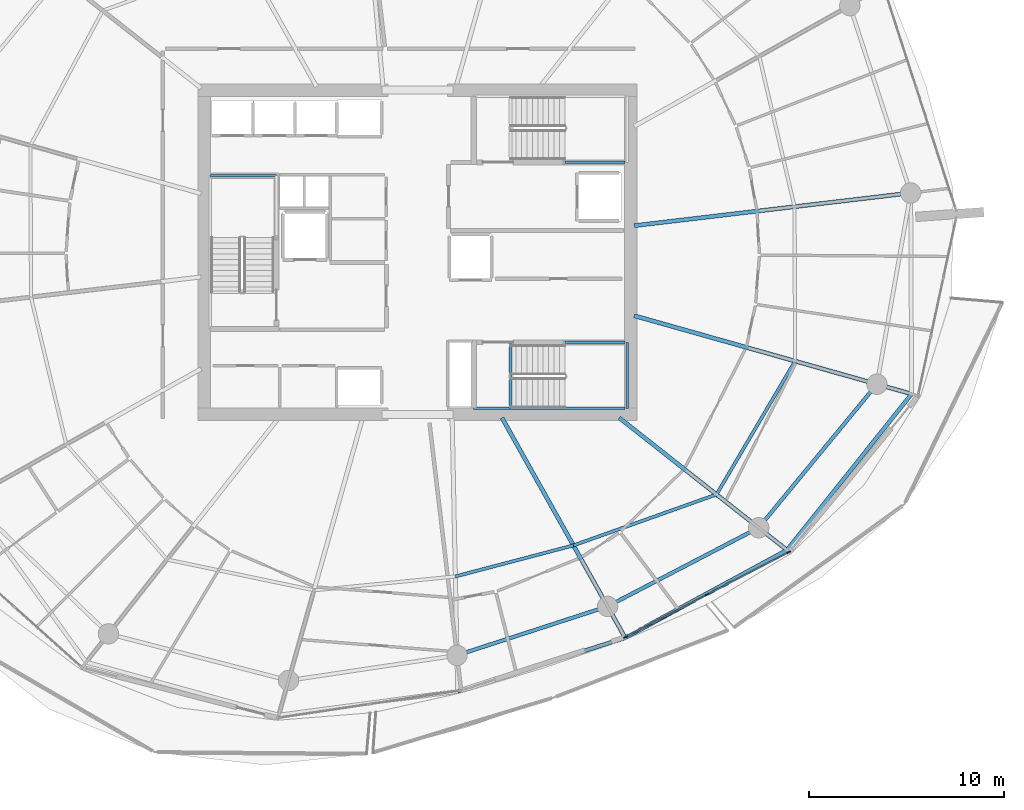
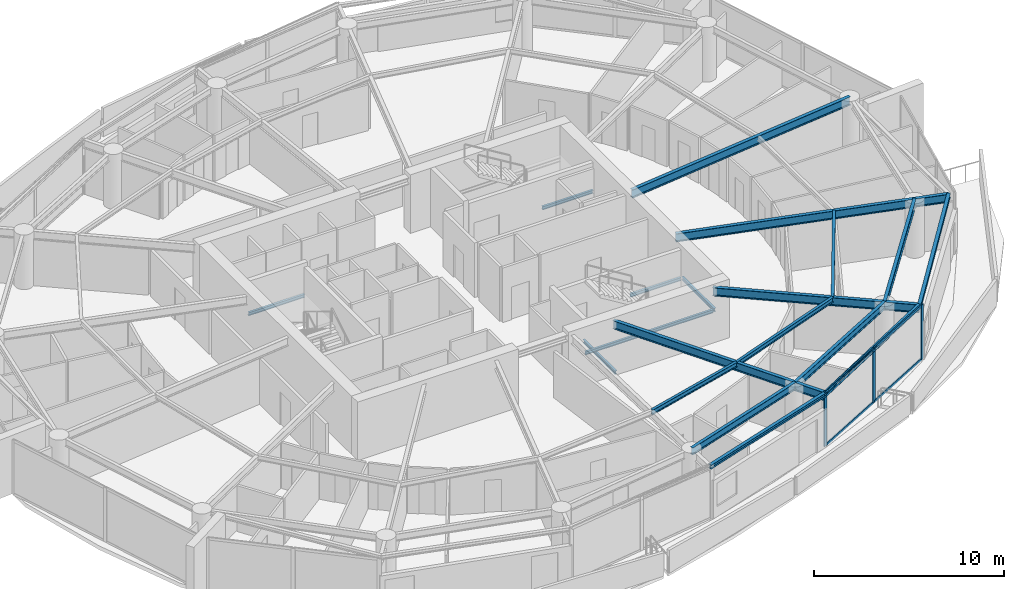
# One storey, part 6 of 20: 19 beams, 7 members, 1 element without a shape of its own.
"""IFC4 building model written with IfcOpenShell, lengths in metres."""

from ifc_helpers import new_model, si_unit, direction, frame, origin, origin_2d, place, context, subcontext, project, spatial, rectangle, i_section, extrude, material, layer, layer_set, material_profile, profile_set, type_object, element, aggregate, save


model = new_model("IFC4")

# Units and contexts
model_context = context("Model", 3, precision=1e-05, world=origin(), true_north=direction((0.0, 1.0)))
body_context = subcontext(model_context, "Body", "Model", "MODEL_VIEW")
ifc_project = project(units=[si_unit("LENGTHUNIT", "METRE"), si_unit("AREAUNIT", "SQUARE_METRE"), si_unit("VOLUMEUNIT", "CUBIC_METRE"), si_unit("PLANEANGLEUNIT", "RADIAN"), si_unit("MASSUNIT", "GRAM", prefix="KILO")], contexts=[model_context])

# Site, building, storey
site_placement = place(None, origin())
site = spatial("IfcSite", under=ifc_project, at=site_placement, CompositionType="ELEMENT")
building_placement = place(site_placement, origin())
building = spatial("IfcBuilding", under=site, at=building_placement, Name="Kazma Halo Residences", CompositionType="ELEMENT")
storey_placement = place(building_placement, frame((0.0, 0.0, 210.300048828125)))
storey = spatial("IfcBuildingStorey", under=building, at=storey_placement, Name="L53", CompositionType="ELEMENT", Elevation=210.300048828125)

# Beams
ifc_material_1 = material(Name="Steel S355", Category="steel")
ifc_material_profile_1 = material_profile(ifc_material_1, i_section(OverallWidth=0.201904296875, OverallDepth=0.2470703125, WebThickness=0.00732421875, FlangeThickness=0.010986328125, FilletRadius=0.011962890625, at=origin_2d()), Name="W250x49.1")
ifc_profile_set_1 = profile_set([ifc_material_profile_1], Name="Steel S355")
beam_type_1 = type_object("IfcBeamType", Name="BM-BAL-CANT", PredefinedType="BEAM", material=ifc_profile_set_1)
beam_1_placement = place(storey_placement, frame((50.48779296875, 19.45068359375, 3.37646484375), z_axis=(0.952538666424, 0.30441762263, 0.0), x_axis=(-0.30441762263, 0.952538666424, 0.0)))
element("IfcBeam", 1, at=beam_1_placement, inside=storey, type_object=beam_type_1, Name="L53 wave-balcony tie beam 12", PredefinedType="BEAM", context=body_context, shape_type="SweptSolid", body=[
    extrude(i_section(OverallWidth=0.201904296875, OverallDepth=0.2470703125, WebThickness=0.00732421875, FlangeThickness=0.010986328125, FilletRadius=0.011962890625, at=origin_2d()), origin(), (0.0, 0.0, 1.0), 9.029541015625),
])
beam_2_placement = place(storey_placement, frame((59.0888671875, 22.199462890625, 3.37646484375), z_axis=(0.878890557257, 0.477023467309, 0.0), x_axis=(-0.477023467309, 0.878890557257, 0.0)))
element("IfcBeam", 2, at=beam_2_placement, inside=storey, type_object=beam_type_1, Name="L53 wave-balcony tie beam 13", PredefinedType="BEAM", context=body_context, shape_type="SweptSolid", body=[
    extrude(i_section(OverallWidth=0.201904296875, OverallDepth=0.2470703125, WebThickness=0.00732421875, FlangeThickness=0.010986328125, FilletRadius=0.011962890625, at=origin_2d()), origin(), (0.0, 0.0, 1.0), 9.452880859375),
])
beam_3_placement = place(storey_placement, frame((67.39697265625, 26.708740234375, 3.37646484375), z_axis=(0.624195724924, 0.781268005864, 0.0), x_axis=(-0.781268005864, 0.624195724924, 0.0)))
element("IfcBeam", 3, at=beam_3_placement, inside=storey, type_object=beam_type_1, Name="L53 wave-balcony tie beam 14", PredefinedType="BEAM", context=body_context, shape_type="SweptSolid", body=[
    extrude(i_section(OverallWidth=0.201904296875, OverallDepth=0.2470703125, WebThickness=0.00732421875, FlangeThickness=0.010986328125, FilletRadius=0.011962890625, at=origin_2d()), origin(), (0.0, 0.0, 1.0), 10.258544921875),
])
ifc_material_profile_2 = material_profile(ifc_material_1, i_section(OverallWidth=0.208984375, OverallDepth=0.532958984375, WebThickness=0.01025390625, FlangeThickness=0.015625, FilletRadius=0.01611328125, at=origin_2d()), Name="W530x92")
ifc_profile_set_2 = profile_set([ifc_material_profile_2], Name="Steel S355")
beam_type_2 = type_object("IfcBeamType", Name="BM-RAD-W530", PredefinedType="BEAM", material=ifc_profile_set_2)
beam_4_placement = place(storey_placement, frame((52.76025390625, 33.5, 3.2333984375), z_axis=(0.488621736368, -0.872495729931, 0.0), x_axis=(0.872495729931, 0.488621736368, 0.0)))
element("IfcBeam", 4, at=beam_4_placement, inside=storey, type_object=beam_type_2, Name="L53 radial floor beam 13", PredefinedType="BEAM", context=body_context, shape_type="SweptSolid", body=[
    extrude(i_section(OverallWidth=0.208984375, OverallDepth=0.532958984375, WebThickness=0.01025390625, FlangeThickness=0.015625, FilletRadius=0.01611328125, at=origin_2d()), origin(), (0.0, 0.0, 1.0), 12.951904296875),
])
beam_5_placement = place(storey_placement, frame((58.7822265625, 33.5, 3.2333984375), z_axis=(0.785319521624, -0.619090662954, 0.0), x_axis=(0.619090662954, 0.785319521624, 0.0)))
element("IfcBeam", 5, at=beam_5_placement, inside=storey, type_object=beam_type_2, Name="L53 radial floor beam 14", PredefinedType="BEAM", context=body_context, shape_type="SweptSolid", body=[
    extrude(i_section(OverallWidth=0.208984375, OverallDepth=0.532958984375, WebThickness=0.01025390625, FlangeThickness=0.015625, FilletRadius=0.01611328125, at=origin_2d()), origin(), (0.0, 0.0, 1.0), 10.9697265625),
])
beam_6_placement = place(storey_placement, frame((59.550048828125, 38.74267578125, 3.2333984375), z_axis=(0.962449896911, -0.271459381741, 0.0), x_axis=(0.271459381741, 0.962449896911, 0.0)))
element("IfcBeam", 6, at=beam_6_placement, inside=storey, type_object=beam_type_2, Name="L53 radial floor beam 15", PredefinedType="BEAM", context=body_context, shape_type="SweptSolid", body=[
    extrude(i_section(OverallWidth=0.208984375, OverallDepth=0.532958984375, WebThickness=0.01025390625, FlangeThickness=0.015625, FilletRadius=0.01611328125, at=origin_2d()), origin(), (0.0, 0.0, 1.0), 14.80615234375),
])
beam_7_placement = place(storey_placement, frame((59.550048828125, 43.366943359375, 3.2333984375), z_axis=(0.993068204292, 0.117539532174, 0.0), x_axis=(-0.117539532174, 0.993068204292, 0.0)))
element("IfcBeam", 7, at=beam_7_placement, inside=storey, type_object=beam_type_2, Name="L53 radial floor beam 16", PredefinedType="BEAM", context=body_context, shape_type="SweptSolid", body=[
    extrude(i_section(OverallWidth=0.208984375, OverallDepth=0.532958984375, WebThickness=0.01025390625, FlangeThickness=0.015625, FilletRadius=0.01611328125, at=origin_2d()), origin(), (0.0, 0.0, 1.0), 14.30078125),
])
ifc_material_profile_3 = material_profile(ifc_material_1, i_section(OverallWidth=0.1650390625, OverallDepth=0.31005859375, WebThickness=0.005859375, FlangeThickness=0.009765625, FilletRadius=0.011962890625, at=origin_2d()), Name="W310x38.7")
ifc_profile_set_3 = profile_set([ifc_material_profile_3], Name="Steel S355")
beam_type_3 = type_object("IfcBeamType", Name="BM-SEC-W310B", PredefinedType="JOIST", material=ifc_profile_set_3)
beam_8_placement = place(storey_placement, frame((50.366943359375, 25.3515625, 3.344970703125), z_axis=(0.967135034863, 0.254263297273, 0.0), x_axis=(-0.254263297273, 0.967135034863, 0.0)))
element("IfcBeam", 8, at=beam_8_placement, inside=storey, type_object=beam_type_3, Name="L53 circumferential floor joist 12", PredefinedType="JOIST", context=body_context, shape_type="SweptSolid", body=[
    extrude(i_section(OverallWidth=0.1650390625, OverallDepth=0.31005859375, WebThickness=0.005859375, FlangeThickness=0.009765625, FilletRadius=0.011962890625, at=origin_2d()), origin(), (0.0, 0.0, 1.0), 6.27001953125),
])
beam_9_placement = place(storey_placement, frame((56.430908203125, 26.94580078125, 3.344970703125), z_axis=(0.942107492186, 0.335311009612, 0.0), x_axis=(-0.335311009612, 0.942107492186, 0.0)))
element("IfcBeam", 9, at=beam_9_placement, inside=storey, type_object=beam_type_3, Name="L53 circumferential floor joist 13", PredefinedType="JOIST", context=body_context, shape_type="SweptSolid", body=[
    extrude(i_section(OverallWidth=0.1650390625, OverallDepth=0.31005859375, WebThickness=0.005859375, FlangeThickness=0.009765625, FilletRadius=0.011962890625, at=origin_2d()), origin(), (0.0, 0.0, 1.0), 7.79931640625),
])
beam_10_placement = place(storey_placement, frame((63.77880859375, 29.56103515625, 3.344970703125), z_axis=(0.507638586433, 0.861570116453, 0.0), x_axis=(-0.861570116453, 0.507638586433, 0.0)))
element("IfcBeam", 10, at=beam_10_placement, inside=storey, type_object=beam_type_3, Name="L53 circumferential floor joist 14", PredefinedType="JOIST", context=body_context, shape_type="SweptSolid", body=[
    extrude(i_section(OverallWidth=0.1650390625, OverallDepth=0.31005859375, WebThickness=0.005859375, FlangeThickness=0.009765625, FilletRadius=0.011962890625, at=origin_2d()), origin(), (0.0, 0.0, 1.0), 7.951171875),
])
ifc_material_profile_4 = material_profile(ifc_material_1, i_section(OverallWidth=0.18994140625, OverallDepth=0.45703125, WebThickness=0.009033203125, FlangeThickness=0.014404296875, FilletRadius=0.01611328125, at=origin_2d()), Name="W460x74")
ifc_profile_set_4 = profile_set([ifc_material_profile_4], Name="Steel S355")
beam_type_4 = type_object("IfcBeamType", Name="BM-SPN-W460", PredefinedType="BEAM", material=ifc_profile_set_4)
beam_11_placement = place(storey_placement, frame((50.449951171875, 21.30029296875, 3.271484375), z_axis=(0.951048627281, 0.30904127321, 0.0), x_axis=(-0.30904127321, 0.951048627281, 0.0)))
element("IfcBeam", 11, at=beam_11_placement, inside=storey, type_object=beam_type_4, Name="L53 perimeter ring beam 12", PredefinedType="BEAM", context=body_context, shape_type="SweptSolid", body=[
    extrude(i_section(OverallWidth=0.18994140625, OverallDepth=0.45703125, WebThickness=0.009033203125, FlangeThickness=0.014404296875, FilletRadius=0.01611328125, at=origin_2d()), origin(), (0.0, 0.0, 1.0), 8.133056640625),
])
beam_12_placement = place(storey_placement, frame((58.184814453125, 23.813720703125, 3.271484375), z_axis=(0.886961243394, 0.461843861838, 0.0), x_axis=(-0.461843861838, 0.886961243394, 0.0)))
element("IfcBeam", 12, at=beam_12_placement, inside=storey, type_object=beam_type_4, Name="L53 perimeter ring beam 13", PredefinedType="BEAM", context=body_context, shape_type="SweptSolid", body=[
    extrude(i_section(OverallWidth=0.18994140625, OverallDepth=0.45703125, WebThickness=0.009033203125, FlangeThickness=0.014404296875, FilletRadius=0.01611328125, at=origin_2d()), origin(), (0.0, 0.0, 1.0), 8.748046875),
])
beam_13_placement = place(storey_placement, frame((65.944091796875, 27.85400390625, 3.271484375), z_axis=(0.63601715545, 0.771674917289, 0.0), x_axis=(-0.771674917289, 0.63601715545, 0.0)))
element("IfcBeam", 13, at=beam_13_placement, inside=storey, type_object=beam_type_4, Name="L53 perimeter ring beam 14", PredefinedType="BEAM", context=body_context, shape_type="SweptSolid", body=[
    extrude(i_section(OverallWidth=0.18994140625, OverallDepth=0.45703125, WebThickness=0.009033203125, FlangeThickness=0.014404296875, FilletRadius=0.01611328125, at=origin_2d()), origin(), (0.0, 0.0, 1.0), 9.552734375),
])
ifc_material_profile_5 = material_profile(ifc_material_1, i_section(OverallWidth=0.133056640625, OverallDepth=0.20703125, WebThickness=0.005859375, FlangeThickness=0.00830078125, FilletRadius=0.010009765625, at=origin_2d()), Name="W200x26.6")
ifc_profile_set_5 = profile_set([ifc_material_profile_5], Name="Steel S355")
beam_type_5 = type_object("IfcBeamType", Name="BM-TRIM-W200", PredefinedType="BEAM", material=ifc_profile_set_5)
beam_14_placement = place(storey_placement, frame((53.199951171875, 34.0, -0.360107421875), z_axis=(0.0, 1.0, 0.0), x_axis=(-1.0, 0.0, 0.0)))
element("IfcBeam", 14, at=beam_14_placement, inside=storey, type_object=beam_type_5, Name="L53 ST-03 floor landing support beam", PredefinedType="BEAM", context=body_context, shape_type="SweptSolid", body=[
    extrude(i_section(OverallWidth=0.133056640625, OverallDepth=0.20703125, WebThickness=0.005859375, FlangeThickness=0.00830078125, FilletRadius=0.010009765625, at=origin_2d()), origin(), (0.0, 0.0, 1.0), 3.3798828125),
])
beam_15_placement = place(storey_placement, frame((37.780029296875, 45.93994140625, 1.570068359375), z_axis=(1.0, 0.0, 0.0), x_axis=(0.0, 1.0, 0.0)))
element("IfcBeam", 15, at=beam_15_placement, inside=storey, type_object=beam_type_5, Name="L53 ST-01 landing end wall ledger", PredefinedType="BEAM", context=body_context, shape_type="SweptSolid", body=[
    extrude(i_section(OverallWidth=0.133056640625, OverallDepth=0.20703125, WebThickness=0.005859375, FlangeThickness=0.00830078125, FilletRadius=0.010009765625, at=origin_2d()), origin(), (0.0, 0.0, 1.0), 3.39990234375),
])
beam_16_placement = place(storey_placement, frame((56.0, 46.6201171875, 1.570068359375), z_axis=(1.0, 0.0, 0.0), x_axis=(0.0, 1.0, 0.0)))
element("IfcBeam", 16, at=beam_16_placement, inside=storey, type_object=beam_type_5, Name="L53 ST-02 landing south wall ledger", PredefinedType="BEAM", context=body_context, shape_type="SweptSolid", body=[
    extrude(i_section(OverallWidth=0.133056640625, OverallDepth=0.20703125, WebThickness=0.005859375, FlangeThickness=0.00830078125, FilletRadius=0.010009765625, at=origin_2d()), origin(), (0.0, 0.0, 1.0), 3.070068359375),
])
beam_17_placement = place(storey_placement, frame((51.31005859375, 33.97998046875, 1.570068359375), z_axis=(1.0, 0.0, 0.0), x_axis=(0.0, 1.0, 0.0)))
element("IfcBeam", 17, at=beam_17_placement, inside=storey, type_object=beam_type_5, Name="L53 ST-03 landing south wall ledger", PredefinedType="BEAM", context=body_context, shape_type="SweptSolid", body=[
    extrude(i_section(OverallWidth=0.133056640625, OverallDepth=0.20703125, WebThickness=0.005859375, FlangeThickness=0.00830078125, FilletRadius=0.010009765625, at=origin_2d()), origin(), (0.0, 0.0, 1.0), 7.760009765625),
])
beam_18_placement = place(storey_placement, frame((56.0, 37.3798828125, 1.570068359375), z_axis=(1.0, 0.0, 0.0), x_axis=(0.0, 1.0, 0.0)))
element("IfcBeam", 18, at=beam_18_placement, inside=storey, type_object=beam_type_5, Name="L53 ST-03 landing north wall ledger", PredefinedType="BEAM", context=body_context, shape_type="SweptSolid", body=[
    extrude(i_section(OverallWidth=0.133056640625, OverallDepth=0.20703125, WebThickness=0.005859375, FlangeThickness=0.00830078125, FilletRadius=0.010009765625, at=origin_2d()), origin(), (0.0, 0.0, 1.0), 3.070068359375),
])
beam_19_placement = place(storey_placement, frame((59.18994140625, 33.97998046875, 1.570068359375), z_axis=(0.0, 1.0, 0.0), x_axis=(-1.0, 0.0, 0.0)))
element("IfcBeam", 19, at=beam_19_placement, inside=storey, type_object=beam_type_5, Name="L53 ST-03 landing end wall ledger", PredefinedType="BEAM", context=body_context, shape_type="SweptSolid", body=[
    extrude(i_section(OverallWidth=0.133056640625, OverallDepth=0.20703125, WebThickness=0.005859375, FlangeThickness=0.00830078125, FilletRadius=0.010009765625, at=origin_2d()), origin(), (0.0, 0.0, 1.0), 3.39990234375),
])

# Curtain wall, members
ifc_material_2 = material(Name="Aluminium AW-6063 T6 and Triple-Silver Low-E Glass", Category="aluminium")
ifc_layer = layer(ifc_material_2, 0.219970703125)
ifc_layer_set = layer_set([ifc_layer], Name="Aluminium AW-6063 T6 and Triple-Silver Low-E Glass")
curtain_wall_type = type_object("IfcCurtainWallType", Name="CW-SYS-4", PredefinedType="NOTDEFINED", material=ifc_layer_set)
curtain_wall_placement = place(storey_placement, origin())
curtain_wall = element("IfcCurtainWall", 20, at=curtain_wall_placement, inside=storey, type_object=curtain_wall_type, Name="L53 unitised curtain wall B13", PredefinedType="NOTDEFINED")
ifc_material_3 = material(Name="Aluminium AW-6063 T6", Category="aluminium")
ifc_material_profile_6 = material_profile(ifc_material_3, rectangle(XDim=0.074951171875, YDim=0.219970703125, at=origin_2d()), Name="CWM-75x220")
ifc_profile_set_6 = profile_set([ifc_material_profile_6], Name="Aluminium AW-6063 T6")
member_type_1 = type_object("IfcMemberType", Name="CW-SYS-4-MUL", PredefinedType="MULLION", material=ifc_profile_set_6)
member_1_placement = place(storey_placement, frame((59.105712890625, 22.24609375, 0.0), z_axis=(0.0, 0.0, 1.0), x_axis=(-0.460873851097, 0.887465657575, 0.0)))
member_1 = element("IfcMember", 21, at=member_1_placement, type_object=member_type_1, Name="CWS-4 mullion 1", PredefinedType="MULLION", context=body_context, shape_type="SweptSolid", body=[
    extrude(rectangle(XDim=0.074951171875, YDim=0.219970703125, at=origin_2d()), origin(), (0.0, 0.0, 1.0), 3.5),
])
member_2_placement = place(storey_placement, frame((63.294677734375, 24.421630859375, 0.0), z_axis=(0.0, 0.0, 1.0), x_axis=(-0.460873851097, 0.887465657575, 0.0)))
member_2 = element("IfcMember", 22, at=member_2_placement, type_object=member_type_1, Name="CWS-4 mullion 2", PredefinedType="MULLION", context=body_context, shape_type="SweptSolid", body=[
    extrude(rectangle(XDim=0.074951171875, YDim=0.219970703125, at=origin_2d()), origin(), (0.0, 0.0, 1.0), 3.5),
])
member_3_placement = place(storey_placement, frame((67.4833984375, 26.596923828125, 0.0), z_axis=(0.0, 0.0, 1.0), x_axis=(-0.460873851097, 0.887465657575, 0.0)))
member_3 = element("IfcMember", 23, at=member_3_placement, type_object=member_type_1, Name="CWS-4 mullion 3", PredefinedType="MULLION", context=body_context, shape_type="SweptSolid", body=[
    extrude(rectangle(XDim=0.074951171875, YDim=0.219970703125, at=origin_2d()), origin(), (0.0, 0.0, 1.0), 3.5),
])
ifc_material_profile_7 = material_profile(ifc_material_3, rectangle(XDim=0.074951171875, YDim=0.1650390625, at=origin_2d()), Name="CWT-75x165")
ifc_profile_set_7 = profile_set([ifc_material_profile_7], Name="Aluminium AW-6063 T6")
member_type_2 = type_object("IfcMemberType", Name="CW-SYS-4-TRN", PredefinedType="USERDEFINED", material=ifc_profile_set_7)
member_4_placement = place(storey_placement, frame((59.138916015625, 22.263427734375, 0.037353515625), z_axis=(0.887457630519, 0.460889307789, 0.0), x_axis=(-0.460889307789, 0.887457630519, 0.0)))
member_4 = element("IfcMember", 24, at=member_4_placement, type_object=member_type_2, Name="CWS-4 transom 1.1", ObjectType="TRANSOM", PredefinedType="USERDEFINED", context=body_context, shape_type="SweptSolid", body=[
    extrude(rectangle(XDim=0.074951171875, YDim=0.1650390625, at=origin_2d()), origin(), (0.0, 0.0, 1.0), 4.64501953125),
])
member_5_placement = place(storey_placement, frame((59.138916015625, 22.263427734375, 3.46240234375), z_axis=(0.887457630519, 0.460889307789, 0.0), x_axis=(-0.460889307789, 0.887457630519, 0.0)))
member_5 = element("IfcMember", 25, at=member_5_placement, type_object=member_type_2, Name="CWS-4 transom 1.2", ObjectType="TRANSOM", PredefinedType="USERDEFINED", context=body_context, shape_type="SweptSolid", body=[
    extrude(rectangle(XDim=0.074951171875, YDim=0.1650390625, at=origin_2d()), origin(), (0.0, 0.0, 1.0), 4.64501953125),
])
member_6_placement = place(storey_placement, frame((63.327880859375, 24.438720703125, 0.037353515625), z_axis=(0.887457630519, 0.460889307789, 0.0), x_axis=(-0.460889307789, 0.887457630519, 0.0)))
member_6 = element("IfcMember", 26, at=member_6_placement, type_object=member_type_2, Name="CWS-4 transom 2.1", ObjectType="TRANSOM", PredefinedType="USERDEFINED", context=body_context, shape_type="SweptSolid", body=[
    extrude(rectangle(XDim=0.074951171875, YDim=0.1650390625, at=origin_2d()), origin(), (0.0, 0.0, 1.0), 4.64501953125),
])
member_7_placement = place(storey_placement, frame((63.327880859375, 24.438720703125, 3.46240234375), z_axis=(0.887457630519, 0.460889307789, 0.0), x_axis=(-0.460889307789, 0.887457630519, 0.0)))
member_7 = element("IfcMember", 27, at=member_7_placement, type_object=member_type_2, Name="CWS-4 transom 2.2", ObjectType="TRANSOM", PredefinedType="USERDEFINED", context=body_context, shape_type="SweptSolid", body=[
    extrude(rectangle(XDim=0.074951171875, YDim=0.1650390625, at=origin_2d()), origin(), (0.0, 0.0, 1.0), 4.64501953125),
])
aggregate(curtain_wall, [member_1, member_2, member_3, member_4, member_5, member_6, member_7])

save(model, "model.ifc")
